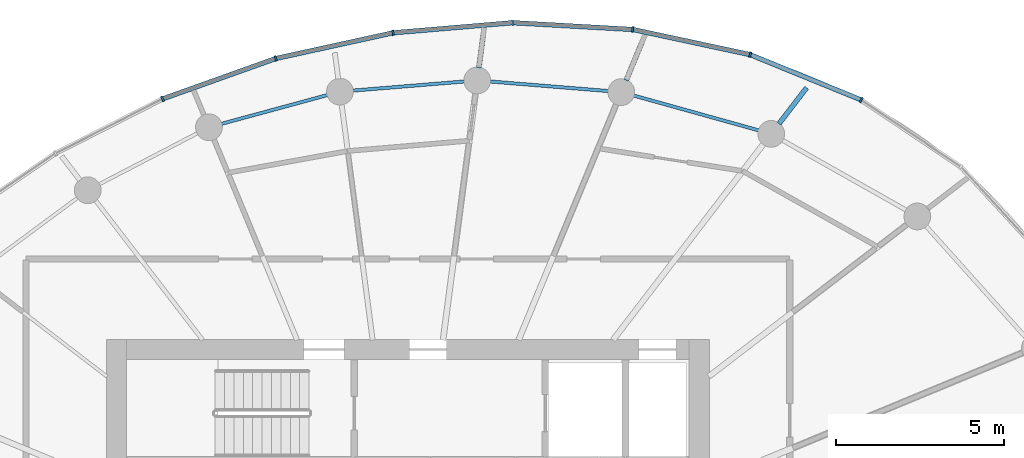
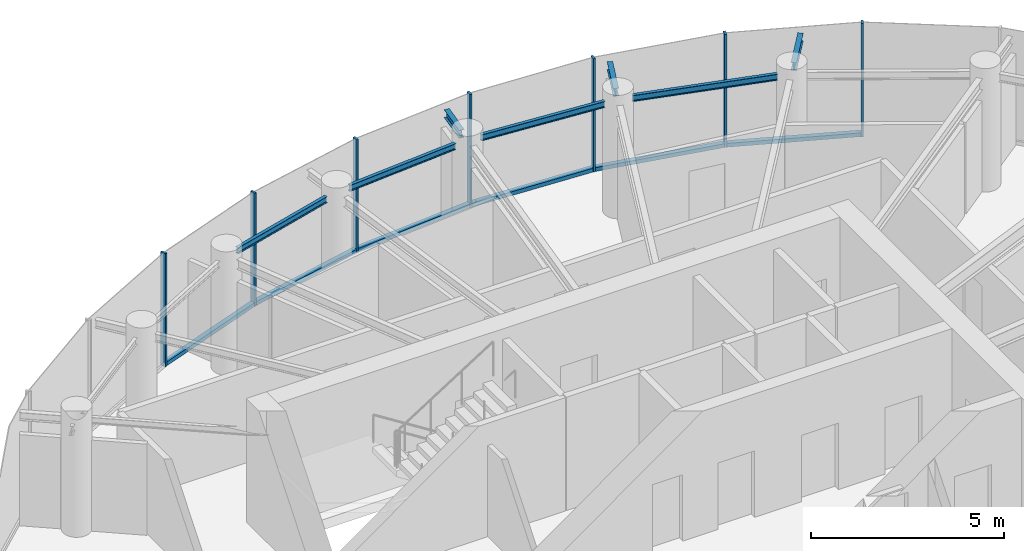
# One storey, part 6 of 13: 13 members, 7 beams, 2 elements without a shape of their own.
"""IFC4 building model written with IfcOpenShell, lengths in metres."""

import ifcopenshell
import ifcopenshell.guid

model = None  # the IFC model being written
_history = None  # IfcOwnerHistory: only IFC2X3 demands one
_inside = {}  # id of a spatial element -> (the spatial element, [elements in it])
_under = {}  # id of a project, library or spatial element -> (it, [spatial elements below it])
_declared = {}  # id of a project -> (the project, [libraries it declares])
_typed = {}  # id of a type object -> (the type object, [elements of that type])
_made_of = {}  # id of a material, layer set ... -> (it, [elements and type objects made of it])


def new_model(schema):
    """Start an empty IFC model of exactly this schema.

    Asked for "IFC4X3", IfcOpenShell would pick the latest addendum, in which some entities
    have other attributes; the version numbers below select the first issue.
    IFC2X3 requires an IfcOwnerHistory on every rooted entity: one is made here for all.
    """
    global model, _history
    if schema == "IFC4X3":
        model = ifcopenshell.file(schema_version=(4, 3, 0, 0))
    else:
        model = ifcopenshell.file(schema=schema)
    _inside.clear()
    _under.clear()
    _declared.clear()
    _typed.clear()
    _made_of.clear()
    _history = None
    if model.schema == "IFC2X3":
        org = make("IfcOrganization", Name="unknown")
        user = make(
            "IfcPersonAndOrganization",
            ThePerson=make("IfcPerson", FamilyName="unknown"),
            TheOrganization=org,
        )
        app = make(
            "IfcApplication",
            ApplicationDeveloper=org,
            Version="unknown",
            ApplicationFullName="unknown",
            ApplicationIdentifier="unknown",
        )
        _history = make(
            "IfcOwnerHistory",
            OwningUser=user,
            OwningApplication=app,
            ChangeAction="ADDED",
            CreationDate=0,
        )
    return model


def make(cls, **values):
    """One entity of the class cls with the attributes given. An attribute that is None is left unset."""
    return model.create_entity(
        cls, **{name: value for name, value in values.items() if value is not None}
    )


def rooted(cls, **values):
    """An entity with a GlobalId (a new one), such as an element, a storey or a relation."""
    return make(cls, GlobalId=ifcopenshell.guid.new(), OwnerHistory=_history, **values)


def si_unit(unit_type, name, prefix=None):
    """IfcSIUnit, for example si_unit("LENGTHUNIT", "METRE", prefix="MILLI")."""
    return make("IfcSIUnit", UnitType=unit_type, Prefix=prefix, Name=name)


def assignment(units):
    """IfcUnitAssignment: the units of a project."""
    return None if units is None else make("IfcUnitAssignment", Units=units)


def point(xyz):
    """IfcCartesianPoint."""
    return None if xyz is None else make("IfcCartesianPoint", Coordinates=xyz)


def direction(xyz):
    """IfcDirection."""
    return None if xyz is None else make("IfcDirection", DirectionRatios=xyz)


def frame(location, z_axis=None, x_axis=None):
    """IfcAxis2Placement3D, a coordinate frame: its origin and axes. An axis left out is left unset."""
    return make(
        "IfcAxis2Placement3D",
        Location=point(location),
        Axis=direction(z_axis),
        RefDirection=direction(x_axis),
    )


def frame_2d(location, x_axis=None):
    """IfcAxis2Placement2D, a coordinate frame in the plane: its origin and x axis."""
    return make(
        "IfcAxis2Placement2D", Location=point(location), RefDirection=direction(x_axis)
    )


def origin():
    """The frame at (0, 0, 0) with its axes left unset."""
    return frame((0.0, 0.0, 0.0))


def origin_2d():
    """The frame at (0, 0) in the plane with its x axis left unset."""
    return frame_2d((0.0, 0.0))


def place(relative_to, where):
    """IfcLocalPlacement: puts the frame where relative to a parent placement (None: the world)."""
    return make(
        "IfcLocalPlacement", PlacementRelTo=relative_to, RelativePlacement=where
    )


def context(
    kind, dimensions, precision=None, world=None, true_north=None, identifier=None
):
    """IfcGeometricRepresentationContext, for example the 3D "Model" context."""
    return make(
        "IfcGeometricRepresentationContext",
        ContextIdentifier=identifier,
        ContextType=kind,
        CoordinateSpaceDimension=dimensions,
        Precision=precision,
        WorldCoordinateSystem=world,
        TrueNorth=true_north,
    )


def subcontext(parent, identifier, kind, view, scale=None):
    """IfcGeometricRepresentationSubContext, for example "Body" below "Model"."""
    return make(
        "IfcGeometricRepresentationSubContext",
        ContextIdentifier=identifier,
        ContextType=kind,
        ParentContext=parent,
        TargetScale=scale,
        TargetView=view,
    )


def project(units=None, contexts=None):
    """IfcProject with its units and contexts."""
    return rooted(
        "IfcProject",
        Name="project",
        RepresentationContexts=contexts,
        UnitsInContext=assignment(units),
    )


def spatial(cls, under=None, at=None, **own):
    """A site, building, storey or space (cls), placed at a placement, below another one or the project."""
    s = rooted(cls, ObjectPlacement=at, **own)
    if under is not None:
        _under.setdefault(under.id(), (under, []))[1].append(s)
    return s


def profile(cls, at=None, kind="AREA", **sizes):
    """A parametric profile (cls). Its sizes go by their IFC names, for example OverallWidth=200.0."""
    return make(cls, ProfileType=kind, Position=at, **sizes)


def rectangle(**sizes):
    """IfcRectangleProfileDef."""
    return profile("IfcRectangleProfileDef", **sizes)


def i_section(**sizes):
    """IfcIShapeProfileDef."""
    return profile("IfcIShapeProfileDef", **sizes)


def extrude(swept, where, along, depth):
    """IfcExtrudedAreaSolid: the profile swept, set in the frame where, extruded along a direction by depth."""
    return make(
        "IfcExtrudedAreaSolid",
        SweptArea=swept,
        Position=where,
        ExtrudedDirection=direction(along),
        Depth=depth,
    )


def shape(context_of_items, identifier, shape_type, items):
    """IfcShapeRepresentation: the items that make up one representation, for example the "Body"."""
    return make(
        "IfcShapeRepresentation",
        ContextOfItems=context_of_items,
        RepresentationIdentifier=identifier,
        RepresentationType=shape_type,
        Items=items,
    )


def source(mapping_origin, context_of_items, identifier, shape_type, items):
    """IfcRepresentationMap: a shape defined once, which mapped items show again and again."""
    return make(
        "IfcRepresentationMap",
        MappingOrigin=mapping_origin,
        MappedRepresentation=shape(context_of_items, identifier, shape_type, items),
    )


def transform(
    local_origin,
    x_axis=None,
    y_axis=None,
    z_axis=None,
    scale=None,
    scale2=None,
    scale3=None,
    uniform=True,
):
    """IfcCartesianTransformationOperator3D, or its non-uniform kind. x_axis, y_axis, z_axis: its Axis1, 2, 3."""
    if uniform:
        return make(
            "IfcCartesianTransformationOperator3D",
            Axis1=direction(x_axis),
            Axis2=direction(y_axis),
            LocalOrigin=point(local_origin),
            Scale=scale,
            Axis3=direction(z_axis),
        )
    return make(
        "IfcCartesianTransformationOperator3DnonUniform",
        Axis1=direction(x_axis),
        Axis2=direction(y_axis),
        LocalOrigin=point(local_origin),
        Scale=scale,
        Axis3=direction(z_axis),
        Scale2=scale2,
        Scale3=scale3,
    )


def mapped(mapping_source, mapping_target):
    """IfcMappedItem: shows the shape of a source again, moved by a transform."""
    return make(
        "IfcMappedItem", MappingSource=mapping_source, MappingTarget=mapping_target
    )


def material(Name=None, Category=None):
    """IfcMaterial."""
    return make("IfcMaterial", Name=Name, Category=Category)


def layer(
    of_material, thickness, ventilated=None, Name=None, Category=None, Priority=None
):
    """IfcMaterialLayer: one layer of a wall or slab, of a material (None: an air gap)."""
    return make(
        "IfcMaterialLayer",
        Material=of_material,
        LayerThickness=thickness,
        IsVentilated=ventilated,
        Name=Name,
        Category=Category,
        Priority=Priority,
    )


def layer_set(layers, Name=None):
    """IfcMaterialLayerSet."""
    return make("IfcMaterialLayerSet", MaterialLayers=layers, LayerSetName=Name)


def material_profile(
    of_material, cross_section, Name=None, Category=None, Priority=None
):
    """IfcMaterialProfile: a cross section and its material."""
    return make(
        "IfcMaterialProfile",
        Name=Name,
        Material=of_material,
        Profile=cross_section,
        Priority=Priority,
        Category=Category,
    )


def profile_set(profiles, Name=None, composite=None):
    """IfcMaterialProfileSet."""
    return make(
        "IfcMaterialProfileSet",
        Name=Name,
        MaterialProfiles=profiles,
        CompositeProfile=composite,
    )


def made_of(thing, what):
    """Note that an element or type object is made of a material, layer set ...; save() writes the relation."""
    if what is not None:
        _made_of.setdefault(what.id(), (what, []))[1].append(thing)
    return thing


def type_object(cls, material=None, **own):
    """A type object (cls), such as IfcWallType, which elements share."""
    return made_of(rooted(cls, **own), material)


def element(
    cls,
    number,
    at=None,
    inside=None,
    cuts=None,
    type_object=None,
    material=None,
    context=None,
    identifier="Body",
    shape_type=None,
    held_by="IfcProductDefinitionShape",
    body=None,
    shapes=None,
    **own,
):
    """One element of the class cls, such as IfcWall. Its Tag is "e" and its number.

    at: its placement. inside: the storey or other place that contains it. cuts: it is an
    opening in that element (IfcRelVoidsElement). A single representation is given by context,
    identifier, shape_type and body (its items); several are given by shapes. held_by: the class
    of the entity that holds the representations. save() writes the other relations.
    """
    e = rooted(cls, Tag="e%d" % number, ObjectPlacement=at, **own)
    if body is not None:
        shapes = [shape(context, identifier, shape_type, body)]
    if shapes is not None:
        e.Representation = make(held_by, Representations=shapes)
    if inside is not None:
        _inside.setdefault(inside.id(), (inside, []))[1].append(e)
    if cuts is not None:
        rooted(
            "IfcRelVoidsElement", RelatingBuildingElement=cuts, RelatedOpeningElement=e
        )
    if type_object is not None:
        _typed.setdefault(type_object.id(), (type_object, []))[1].append(e)
    return made_of(e, material)


def aggregate(whole, parts):
    """IfcRelAggregates: a whole, such as a stair, and the parts it consists of."""
    return rooted("IfcRelAggregates", RelatingObject=whole, RelatedObjects=parts)


def save(model, path):
    """Write the relations noted so far, then the file.

    IfcRelAggregates (storeys below a building ...), IfcRelContainedInSpatialStructure (elements
    in a storey), IfcRelDefinesByType, IfcRelAssociatesMaterial and IfcRelDeclares: one each for
    every whole, place, type object, material and project.
    """
    for whole, parts in _under.values():
        aggregate(whole, parts)
    for where, things in _inside.values():
        rooted(
            "IfcRelContainedInSpatialStructure",
            RelatedElements=things,
            RelatingStructure=where,
        )
    for kind, things in _typed.values():
        rooted("IfcRelDefinesByType", RelatedObjects=things, RelatingType=kind)
    for what, things in _made_of.values():
        rooted("IfcRelAssociatesMaterial", RelatedObjects=things, RelatingMaterial=what)
    for by, libraries in _declared.values():
        rooted("IfcRelDeclares", RelatingContext=by, RelatedDefinitions=libraries)
    model.write(path)


model = new_model("IFC4")

# Units and contexts
model_context = context("Model", 3, precision=1e-05, world=origin(), true_north=direction((0.0, 1.0)))
body_context = subcontext(model_context, "Body", "Model", "MODEL_VIEW")
ifc_project = project(units=[si_unit("LENGTHUNIT", "METRE"), si_unit("AREAUNIT", "SQUARE_METRE"), si_unit("VOLUMEUNIT", "CUBIC_METRE"), si_unit("PLANEANGLEUNIT", "RADIAN"), si_unit("MASSUNIT", "GRAM", prefix="KILO")], contexts=[model_context])

# Site, building, storey
site_placement = place(None, origin())
site = spatial("IfcSite", under=ifc_project, at=site_placement, CompositionType="ELEMENT")
building_placement = place(site_placement, origin())
building = spatial("IfcBuilding", under=site, at=building_placement, Name="Spindrift Exchange Tower", CompositionType="ELEMENT")
storey_placement = place(building_placement, frame((0.0, 0.0, 246.199951171875)))
storey = spatial("IfcBuildingStorey", under=building, at=storey_placement, Name="L60", CompositionType="ELEMENT", Elevation=246.199951171875)

# Beams
ifc_material_1 = material(Name="Steel Grade 300", Category="steel")
ifc_material_profile_1 = material_profile(ifc_material_1, i_section(OverallWidth=0.09912109375, OverallDepth=0.197998046875, WebThickness=0.00439453125, FlangeThickness=0.007080078125, FilletRadius=0.010986328125, at=origin_2d()), Name="200UB18.2")
ifc_profile_set_1 = profile_set([ifc_material_profile_1], Name="Steel Grade 300")
beam_type_1 = type_object("IfcBeamType", Name="Edge Beam 200UB18.2 Steel Grade 300", PredefinedType="SPANDREL", material=ifc_profile_set_1)
shared_shape_1 = source(origin(), body_context, "Body", "SweptSolid", [
    extrude(i_section(OverallWidth=0.09912109375, OverallDepth=0.197998046875, WebThickness=0.00439453125, FlangeThickness=0.007080078125, FilletRadius=0.010986328125, at=origin_2d()), origin(), (0.0, 0.0, 1.0), 3.885498046875),
])
beam_1_placement = place(storey_placement, frame((62.480712890625, 62.238037109375, 3.48095703125), z_axis=(-0.963333134661, 0.268308165482, 0.0), x_axis=(-0.268308165482, -0.963333134661, 0.0)))
element("IfcBeam", 1, at=beam_1_placement, inside=storey, type_object=beam_type_1, Name="L60 edge beam E04", PredefinedType="SPANDREL", context=body_context, shape_type="MappedRepresentation", body=[
    mapped(shared_shape_1, transform((0.0, 0.0, 0.0), scale=1.0)),
])
shared_shape_2 = source(origin(), body_context, "Body", "SweptSolid", [
    extrude(i_section(OverallWidth=0.09912109375, OverallDepth=0.197998046875, WebThickness=0.00439453125, FlangeThickness=0.007080078125, FilletRadius=0.010986328125, at=origin_2d()), origin(), (0.0, 0.0, 1.0), 3.5546875),
])
beam_2_placement = place(storey_placement, frame((57.992919921875, 63.413330078125, 3.48095703125), z_axis=(-0.996727103969, 0.080839842983, 0.0), x_axis=(-0.080839842983, -0.996727103969, 0.0)))
element("IfcBeam", 2, at=beam_2_placement, inside=storey, type_object=beam_type_1, Name="L60 edge beam E05", PredefinedType="SPANDREL", context=body_context, shape_type="MappedRepresentation", body=[
    mapped(shared_shape_2, transform((0.0, 0.0, 0.0), scale=1.0)),
])
shared_shape_3 = source(origin(), body_context, "Body", "SweptSolid", [
    extrude(i_section(OverallWidth=0.09912109375, OverallDepth=0.197998046875, WebThickness=0.00439453125, FlangeThickness=0.007080078125, FilletRadius=0.010986328125, at=origin_2d()), origin(), (0.0, 0.0, 1.0), 3.351806640625),
])
beam_3_placement = place(storey_placement, frame((53.6923828125, 63.7001953125, 3.48095703125), z_axis=(-0.996672670999, -0.081508201334, 0.0), x_axis=(0.081508201334, -0.996672670999, 0.0)))
element("IfcBeam", 3, at=beam_3_placement, inside=storey, type_object=beam_type_1, Name="L60 edge beam E06", PredefinedType="SPANDREL", context=body_context, shape_type="MappedRepresentation", body=[
    mapped(shared_shape_3, transform((0.0, 0.0, 0.0), scale=1.0)),
])
shared_shape_4 = source(origin(), body_context, "Body", "SweptSolid", [
    extrude(i_section(OverallWidth=0.09912109375, OverallDepth=0.197998046875, WebThickness=0.00439453125, FlangeThickness=0.007080078125, FilletRadius=0.010986328125, at=origin_2d()), origin(), (0.0, 0.0, 1.0), 3.2919921875),
])
beam_4_placement = place(storey_placement, frame((49.6064453125, 63.29638671875, 3.48095703125), z_axis=(-0.965045644564, -0.262081864896, 0.0), x_axis=(0.262081864896, -0.965045644564, 0.0)))
element("IfcBeam", 4, at=beam_4_placement, inside=storey, type_object=beam_type_1, Name="L60 edge beam E07", PredefinedType="SPANDREL", context=body_context, shape_type="MappedRepresentation", body=[
    mapped(shared_shape_4, transform((0.0, 0.0, 0.0), scale=1.0)),
])
ifc_material_profile_2 = material_profile(ifc_material_1, i_section(OverallWidth=0.14599609375, OverallDepth=0.251953125, WebThickness=0.006103515625, FlangeThickness=0.008544921875, FilletRadius=0.011962890625, at=origin_2d()), Name="250UB31.4")
ifc_profile_set_2 = profile_set([ifc_material_profile_2], Name="Steel Grade 300")
beam_type_2 = type_object("IfcBeamType", Name="Cantilever Beam 250UB31.4 Steel Grade 300", PredefinedType="BEAM", material=ifc_profile_set_2)
shared_shape_5 = source(origin(), body_context, "Body", "SweptSolid", [
    extrude(i_section(OverallWidth=0.14599609375, OverallDepth=0.251953125, WebThickness=0.006103515625, FlangeThickness=0.008544921875, FilletRadius=0.011962890625, at=origin_2d()), origin(), (0.0, 0.0, 1.0), 1.356201171875),
])
beam_5_placement = place(storey_placement, frame((63.078369140625, 62.4375, 3.4541015625), z_axis=(0.608692300698, 0.793406379525, 0.0), x_axis=(-0.793406379525, 0.608692300698, 0.0)))
element("IfcBeam", 5, at=beam_5_placement, inside=storey, type_object=beam_type_2, Name="L60 cantilever beam R04T", PredefinedType="BEAM", context=body_context, shape_type="MappedRepresentation", body=[
    mapped(shared_shape_5, transform((0.0, 0.0, 0.0), scale=1.0)),
])
shared_shape_6 = source(origin(), body_context, "Body", "SweptSolid", [
    extrude(i_section(OverallWidth=0.14599609375, OverallDepth=0.251953125, WebThickness=0.006103515625, FlangeThickness=0.008544921875, FilletRadius=0.011962890625, at=origin_2d()), origin(), (0.0, 0.0, 1.0), 1.22509765625),
])
beam_6_placement = place(storey_placement, frame((58.51708984375, 63.733642578125, 3.4541015625), z_axis=(0.382633408694, 0.923900251408, 0.0), x_axis=(-0.923900251408, 0.382633408694, 0.0)))
element("IfcBeam", 6, at=beam_6_placement, inside=storey, type_object=beam_type_2, Name="L60 cantilever beam R05T", PredefinedType="BEAM", context=body_context, shape_type="MappedRepresentation", body=[
    mapped(shared_shape_6, transform((0.0, 0.0, 0.0), scale=1.0)),
])
shared_shape_7 = source(origin(), body_context, "Body", "SweptSolid", [
    extrude(i_section(OverallWidth=0.14599609375, OverallDepth=0.251953125, WebThickness=0.006103515625, FlangeThickness=0.008544921875, FilletRadius=0.011962890625, at=origin_2d()), origin(), (0.0, 0.0, 1.0), 1.0146484375),
])
beam_7_placement = place(storey_placement, frame((54.12060546875, 64.108154296875, 3.4541015625), z_axis=(0.13066615264, 0.991426425185, 0.0), x_axis=(-0.991426425185, 0.13066615264, 0.0)))
element("IfcBeam", 7, at=beam_7_placement, inside=storey, type_object=beam_type_2, Name="L60 cantilever beam R06T", PredefinedType="BEAM", context=body_context, shape_type="MappedRepresentation", body=[
    mapped(shared_shape_7, transform((0.0, 0.0, 0.0), scale=1.0)),
])

# Curtain wall, members
ifc_material_2 = material(Name="Fritted laminated glass with bronze frame", Category="glass")
ifc_layer = layer(ifc_material_2, 0.159912109375)
ifc_layer_set = layer_set([ifc_layer], Name="ZONE 5 BRONZE FRITTED WALL")
curtain_wall_type = type_object("IfcCurtainWallType", Name="ZONE 5 BRONZE FRITTED WALL", PredefinedType="NOTDEFINED", material=ifc_layer_set)
curtain_wall_1_placement = place(storey_placement, origin())
curtain_wall_1 = element("IfcCurtainWall", 8, at=curtain_wall_1_placement, inside=storey, type_object=curtain_wall_type, Name="L60 Zone 5 Bronze Fritted Wall run 1", PredefinedType="NOTDEFINED")
ifc_material_3 = material(Name="Bronze anodised aluminium", Category="aluminium")
ifc_material_profile_3 = material_profile(ifc_material_3, rectangle(XDim=0.06005859375, YDim=0.159912109375, at=origin_2d()), Name="ZONE 5 BRONZE FRITTED WALL MULLION 60X160")
ifc_profile_set_3 = profile_set([ifc_material_profile_3], Name="Bronze anodised aluminium")
member_type_1 = type_object("IfcMemberType", Name="ZONE 5 BRONZE FRITTED WALL MULLION 60X160", PredefinedType="MULLION", material=ifc_profile_set_3)
shared_shape_8 = source(origin(), body_context, "Body", "SweptSolid", [
    extrude(rectangle(XDim=0.06005859375, YDim=0.159912109375, at=origin_2d()), origin(), (0.0, 0.0, 1.0), 3.580078125),
])
member_1_placement = place(storey_placement, frame((65.535400390625, 63.1484375, 0.0), z_axis=(0.0, 0.0, 1.0), x_axis=(-0.882770312855, 0.469804826223, 0.0)))
member_1 = element("IfcMember", 9, at=member_1_placement, type_object=member_type_1, Name="L60 mullion CW-5.4", PredefinedType="MULLION", context=body_context, shape_type="MappedRepresentation", body=[
    mapped(shared_shape_8, transform((0.0, 0.0, 0.0), scale=1.0)),
])
member_2_placement = place(storey_placement, frame((62.21728515625, 64.501708984375, 0.0), z_axis=(0.0, 0.0, 1.0), x_axis=(-0.955563106625, 0.294786616483, 0.0)))
member_2 = element("IfcMember", 10, at=member_2_placement, type_object=member_type_1, Name="L60 mullion CW-5.5", PredefinedType="MULLION", context=body_context, shape_type="MappedRepresentation", body=[
    mapped(shared_shape_8, transform((0.0, 0.0, 0.0), scale=1.0)),
])
member_3_placement = place(storey_placement, frame((58.712158203125, 65.25341796875, 0.0), z_axis=(0.0, 0.0, 1.0), x_axis=(-0.991069579181, 0.133345750669, 0.0)))
member_3 = element("IfcMember", 11, at=member_3_placement, type_object=member_type_1, Name="L60 mullion CW-5.6", PredefinedType="MULLION", context=body_context, shape_type="MappedRepresentation", body=[
    mapped(shared_shape_8, transform((0.0, 0.0, 0.0), scale=1.0)),
])

curtain_wall_2_placement = place(storey_placement, origin())
curtain_wall_2 = element("IfcCurtainWall", 12, at=curtain_wall_2_placement, inside=storey, type_object=curtain_wall_type, Name="L60 Zone 5 Bronze Fritted Wall run 2", PredefinedType="NOTDEFINED")
member_4_placement = place(storey_placement, frame((55.13232421875, 65.454833984375, 0.0), z_axis=(0.0, 0.0, 1.0), x_axis=(-0.999902561944, -0.013959463353, 0.0)))
member_4 = element("IfcMember", 13, at=member_4_placement, type_object=member_type_1, Name="L60 mullion CW-5.7", PredefinedType="MULLION", context=body_context, shape_type="MappedRepresentation", body=[
    mapped(shared_shape_8, transform((0.0, 0.0, 0.0), scale=1.0)),
])
member_5_placement = place(storey_placement, frame((51.55908203125, 65.1533203125, 0.0), z_axis=(0.0, 0.0, 1.0), x_axis=(-0.988784005372, -0.149352571859, 0.0)))
member_5 = element("IfcMember", 14, at=member_5_placement, type_object=member_type_1, Name="L60 mullion CW-5.8", PredefinedType="MULLION", context=body_context, shape_type="MappedRepresentation", body=[
    mapped(shared_shape_8, transform((0.0, 0.0, 0.0), scale=1.0)),
])
member_6_placement = place(storey_placement, frame((48.055908203125, 64.385986328125, 0.0), z_axis=(0.0, 0.0, 1.0), x_axis=(-0.961268116403, -0.27561496401, 0.0)))
member_6 = element("IfcMember", 15, at=member_6_placement, type_object=member_type_1, Name="L60 mullion CW-5.9", PredefinedType="MULLION", context=body_context, shape_type="MappedRepresentation", body=[
    mapped(shared_shape_8, transform((0.0, 0.0, 0.0), scale=1.0)),
])
member_7_placement = place(storey_placement, frame((44.677978515625, 63.180419921875, 0.0), z_axis=(0.0, 0.0, 1.0), x_axis=(-0.91855168871, -0.395300891938, 0.0)))
member_7 = element("IfcMember", 16, at=member_7_placement, type_object=member_type_1, Name="L60 mullion CW-5.10", PredefinedType="MULLION", context=body_context, shape_type="MappedRepresentation", body=[
    mapped(shared_shape_8, transform((0.0, 0.0, 0.0), scale=1.0)),
])
ifc_material_profile_4 = material_profile(ifc_material_3, rectangle(XDim=0.139892578125, YDim=0.1201171875, at=origin_2d()), Name="ZONE 5 BRONZE FRITTED WALL TRANSOM 140X120")
ifc_profile_set_4 = profile_set([ifc_material_profile_4], Name="Bronze anodised aluminium")
member_type_2 = type_object("IfcMemberType", Name="ZONE 5 BRONZE FRITTED WALL TRANSOM 140X120", PredefinedType="USERDEFINED", material=ifc_profile_set_4)
shared_shape_9 = source(origin(), body_context, "Body", "SweptSolid", [
    extrude(rectangle(XDim=0.139892578125, YDim=0.1201171875, at=origin_2d()), origin(), (0.0, 0.0, 1.0), 3.52587890625),
])
member_8_placement = place(storey_placement, frame((55.102294921875, 65.452392578125, 0.06005859375), z_axis=(-0.996460719168, -0.084059711839, 0.0), x_axis=(0.084059711839, -0.996460719168, 0.0)))
member_8 = element("IfcMember", 17, at=member_8_placement, type_object=member_type_2, Name="L60 transom CW-5.7", ObjectType="TRANSOM", PredefinedType="USERDEFINED", context=body_context, shape_type="MappedRepresentation", body=[
    mapped(shared_shape_9, transform((0.0, 0.0, 0.0), scale=1.0)),
])
shared_shape_10 = source(origin(), body_context, "Body", "SweptSolid", [
    extrude(rectangle(XDim=0.139892578125, YDim=0.1201171875, at=origin_2d()), origin(), (0.0, 0.0, 1.0), 3.5263671875),
])
member_9_placement = place(storey_placement, frame((51.52978515625, 65.14697265625, 0.06005859375), z_axis=(-0.976832669965, -0.214004520722, 0.0), x_axis=(0.214004520722, -0.976832669965, 0.0)))
member_9 = element("IfcMember", 18, at=member_9_placement, type_object=member_type_2, Name="L60 transom CW-5.8", ObjectType="TRANSOM", PredefinedType="USERDEFINED", context=body_context, shape_type="MappedRepresentation", body=[
    mapped(shared_shape_10, transform((0.0, 0.0, 0.0), scale=1.0)),
])
member_10_placement = place(storey_placement, frame((48.027587890625, 64.3759765625, 0.06005859375), z_axis=(-0.941820201815, -0.336117103779, 0.0), x_axis=(0.336117103779, -0.941820201815, 0.0)))
member_10 = element("IfcMember", 19, at=member_10_placement, type_object=member_type_2, Name="L60 transom CW-5.9", ObjectType="TRANSOM", PredefinedType="USERDEFINED", context=body_context, shape_type="MappedRepresentation", body=[
    mapped(shared_shape_10, transform((0.0, 0.0, 0.0), scale=1.0)),
])
aggregate(curtain_wall_2, [member_4, member_8, member_5, member_9, member_6, member_10, member_7])

# Member
shared_shape_11 = source(origin(), body_context, "Body", "SweptSolid", [
    extrude(rectangle(XDim=0.139892578125, YDim=0.1201171875, at=origin_2d()), origin(), (0.0, 0.0, 1.0), 3.525390625),
])
member_11_placement = place(storey_placement, frame((58.68212890625, 65.2548828125, 0.06005859375), z_axis=(-0.99841765744, 0.056233275844, 0.0), x_axis=(-0.056233275844, -0.99841765744, 0.0)))
member_11 = element("IfcMember", 20, at=member_11_placement, type_object=member_type_2, Name="L60 transom CW-5.6", ObjectType="TRANSOM", PredefinedType="USERDEFINED", context=body_context, shape_type="MappedRepresentation", body=[
    mapped(shared_shape_11, transform((0.0, 0.0, 0.0), scale=1.0)),
])

shared_shape_12 = source(origin(), body_context, "Body", "SweptSolid", [
    extrude(rectangle(XDim=0.139892578125, YDim=0.1201171875, at=origin_2d()), origin(), (0.0, 0.0, 1.0), 3.52490234375),
])
member_12_placement = place(storey_placement, frame((62.18798828125, 64.508056640625, 0.06005859375), z_axis=(-0.977775038706, 0.209656799756, 0.0), x_axis=(-0.209656799756, -0.977775038706, 0.0)))
member_12 = element("IfcMember", 21, at=member_12_placement, type_object=member_type_2, Name="L60 transom CW-5.5", ObjectType="TRANSOM", PredefinedType="USERDEFINED", context=body_context, shape_type="MappedRepresentation", body=[
    mapped(shared_shape_12, transform((0.0, 0.0, 0.0), scale=1.0)),
])

shared_shape_13 = source(origin(), body_context, "Body", "SweptSolid", [
    extrude(rectangle(XDim=0.139892578125, YDim=0.1201171875, at=origin_2d()), origin(), (0.0, 0.0, 1.0), 3.523681640625),
])
member_13_placement = place(storey_placement, frame((65.507568359375, 63.159912109375, 0.06005859375), z_axis=(-0.925961390946, 0.377618196697, 0.0), x_axis=(-0.377618196697, -0.925961390946, 0.0)))
member_13 = element("IfcMember", 22, at=member_13_placement, type_object=member_type_2, Name="L60 transom CW-5.4", ObjectType="TRANSOM", PredefinedType="USERDEFINED", context=body_context, shape_type="MappedRepresentation", body=[
    mapped(shared_shape_13, transform((0.0, 0.0, 0.0), scale=1.0)),
])

aggregate(curtain_wall_1, [member_1, member_13, member_2, member_12, member_3, member_11])

save(model, "model.ifc")
